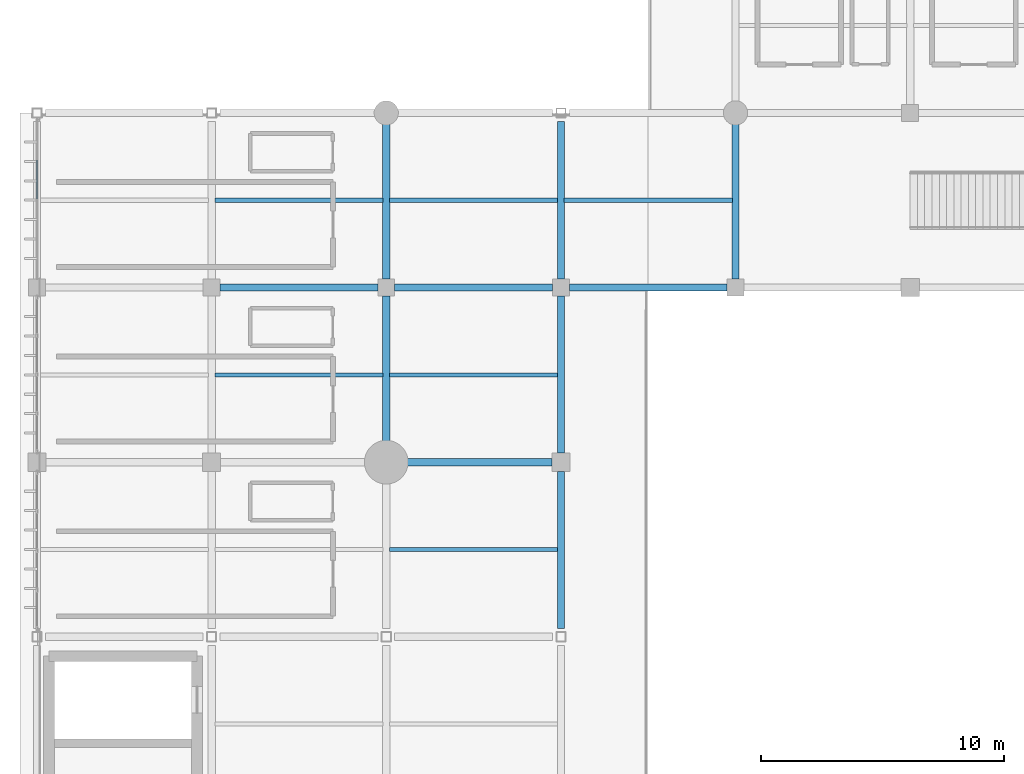
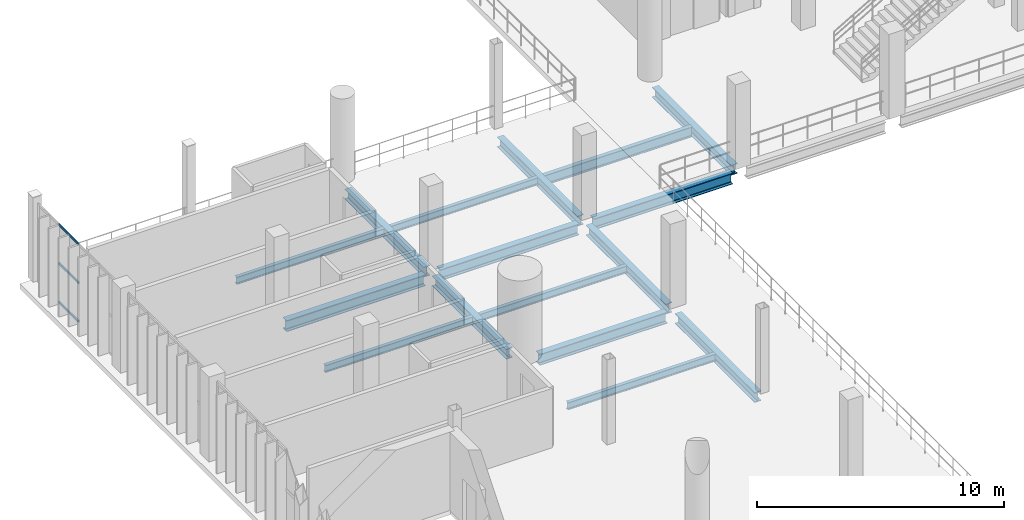
# One storey, part 58 of 130: 16 beams, 3 members, 1 element without a shape of its own.
"""IFC4 building model written with IfcOpenShell, lengths in metres."""

from ifc_helpers import new_model, si_unit, direction, frame, origin, origin_2d, place, context, subcontext, project, spatial, hollow_rectangle, i_section, extrude, material, material_profile, profile_set, type_object, element, aggregate, save


model = new_model("IFC4")

# Units and contexts
model_context = context("Model", 3, precision=1e-05, world=origin(), true_north=direction((0.0, 1.0)))
body_context = subcontext(model_context, "Body", "Model", "MODEL_VIEW")
ifc_project = project(units=[si_unit("LENGTHUNIT", "METRE"), si_unit("AREAUNIT", "SQUARE_METRE"), si_unit("VOLUMEUNIT", "CUBIC_METRE"), si_unit("PLANEANGLEUNIT", "RADIAN"), si_unit("MASSUNIT", "GRAM", prefix="KILO")], contexts=[model_context])

# Site, building, storey
site_placement = place(None, origin())
site = spatial("IfcSite", under=ifc_project, at=site_placement, CompositionType="ELEMENT")
building_placement = place(site_placement, origin())
building = spatial("IfcBuilding", under=site, at=building_placement, Name="Qandorah Velis Arena", CompositionType="ELEMENT")
storey_placement = place(building_placement, frame((0.0, 0.0, 9.60009765625)))
storey = spatial("IfcBuildingStorey", under=building, at=storey_placement, Name="L02", CompositionType="ELEMENT", Elevation=9.60009765625)

# Curtain wall, members
ifc_material_1 = material(Name="Solar-control low-E double glazing", Category="glass")
curtain_wall_type = type_object("IfcCurtainWallType", Name="ARC-CW-SYS20", PredefinedType="USERDEFINED", material=ifc_material_1)
curtain_wall_placement = place(storey_placement, origin())
curtain_wall = element("IfcCurtainWall", 1, at=curtain_wall_placement, inside=storey, type_object=curtain_wall_type, Name="Unitised curtain wall L02-020", ObjectType="UNITISED CURTAIN WALL", PredefinedType="USERDEFINED")
ifc_material_2 = material(Name="Champagne-bronze anodized aluminium 6063-T6", Category="aluminium")
ifc_material_profile_1 = material_profile(ifc_material_2, hollow_rectangle(XDim=0.054931640625, YDim=0.10009765625, WallThickness=0.0029296875, at=origin_2d()), Name="ALU TRANSOM 55x100")
ifc_profile_set_1 = profile_set([ifc_material_profile_1], Name="Champagne-bronze anodized aluminium 6063-T6")
member_type = type_object("IfcMemberType", Name="ARC-CWT-100", PredefinedType="USERDEFINED", material=ifc_profile_set_1)
member_1_placement = place(storey_placement, frame((0.0, 111.653076171875, 0.02734375), z_axis=(0.0, 1.0, 0.0), x_axis=(-1.0, 0.0, 0.0)))
member_1 = element("IfcMember", 2, at=member_1_placement, type_object=member_type, Name="CW20 transom 3.1", ObjectType="TRANSOM", PredefinedType="USERDEFINED", context=body_context, shape_type="SweptSolid", body=[
    extrude(hollow_rectangle(XDim=0.054931640625, YDim=0.10009765625, WallThickness=0.0029296875, at=origin_2d()), origin(), (0.0, 0.0, 1.0), 1.600341796875),
])
member_2_placement = place(storey_placement, frame((0.0, 111.653076171875, 1.93994140625), z_axis=(0.0, 1.0, 0.0), x_axis=(-1.0, 0.0, 0.0)))
member_2 = element("IfcMember", 3, at=member_2_placement, type_object=member_type, Name="CW20 transom 3.2", ObjectType="TRANSOM", PredefinedType="USERDEFINED", context=body_context, shape_type="SweptSolid", body=[
    extrude(hollow_rectangle(XDim=0.054931640625, YDim=0.10009765625, WallThickness=0.0029296875, at=origin_2d()), origin(), (0.0, 0.0, 1.0), 1.600341796875),
])
member_3_placement = place(storey_placement, frame((0.0, 111.653076171875, 3.852294921875), z_axis=(0.0, 1.0, 0.0), x_axis=(-1.0, 0.0, 0.0)))
member_3 = element("IfcMember", 4, at=member_3_placement, type_object=member_type, Name="CW20 transom 3.3", ObjectType="TRANSOM", PredefinedType="USERDEFINED", context=body_context, shape_type="SweptSolid", body=[
    extrude(hollow_rectangle(XDim=0.054931640625, YDim=0.10009765625, WallThickness=0.0029296875, at=origin_2d()), origin(), (0.0, 0.0, 1.0), 1.600341796875),
])
aggregate(curtain_wall, [member_1, member_2, member_3])

# Beams
ifc_material_3 = material(Name="Steel S355", Category="steel")
ifc_material_profile_2 = material_profile(ifc_material_3, i_section(OverallWidth=0.300048828125, OverallDepth=0.5, WebThickness=0.014404296875, FlangeThickness=0.028076171875, FilletRadius=0.027099609375, at=origin_2d()), Name="HEB 500")
ifc_profile_set_2 = profile_set([ifc_material_profile_2], Name="Steel S355")
beam_type_1 = type_object("IfcBeamType", Name="STR-BM-HEB500", PredefinedType="BEAM", material=ifc_profile_set_2)
beam_1_placement = place(storey_placement, frame((14.39990234375, 101.64990234375, -0.530029296875), z_axis=(0.0, 1.0, 0.0), x_axis=(-1.0, 0.0, 0.0)))
element("IfcBeam", 5, at=beam_1_placement, inside=storey, type_object=beam_type_1, Name="Primary floor girder L02 Y-224", PredefinedType="BEAM", context=body_context, shape_type="SweptSolid", body=[
    extrude(i_section(OverallWidth=0.300048828125, OverallDepth=0.5, WebThickness=0.014404296875, FlangeThickness=0.028076171875, FilletRadius=0.027099609375, at=origin_2d()), origin(), (0.0, 0.0, 1.0), 6.0),
])
beam_2_placement = place(storey_placement, frame((14.39990234375, 108.35009765625, -0.530029296875), z_axis=(0.0, 1.0, 0.0), x_axis=(-1.0, 0.0, 0.0)))
element("IfcBeam", 6, at=beam_2_placement, inside=storey, type_object=beam_type_1, Name="Primary floor girder L02 Y-225", PredefinedType="BEAM", context=body_context, shape_type="SweptSolid", body=[
    extrude(i_section(OverallWidth=0.300048828125, OverallDepth=0.5, WebThickness=0.014404296875, FlangeThickness=0.028076171875, FilletRadius=0.027099609375, at=origin_2d()), origin(), (0.0, 0.0, 1.0), 6.39990234375),
])
beam_3_placement = place(storey_placement, frame((21.60009765625, 93.949951171875, -0.530029296875), z_axis=(0.0, 1.0, 0.0), x_axis=(-1.0, 0.0, 0.0)))
element("IfcBeam", 7, at=beam_3_placement, inside=storey, type_object=beam_type_1, Name="Primary floor girder L02 Y-237", PredefinedType="BEAM", context=body_context, shape_type="SweptSolid", body=[
    extrude(i_section(OverallWidth=0.300048828125, OverallDepth=0.5, WebThickness=0.014404296875, FlangeThickness=0.028076171875, FilletRadius=0.027099609375, at=origin_2d()), origin(), (0.0, 0.0, 1.0), 6.47509765625),
])
beam_4_placement = place(storey_placement, frame((21.60009765625, 101.175048828125, -0.530029296875), z_axis=(0.0, 1.0, 0.0), x_axis=(-1.0, 0.0, 0.0)))
element("IfcBeam", 8, at=beam_4_placement, inside=storey, type_object=beam_type_1, Name="Primary floor girder L02 Y-238", PredefinedType="BEAM", context=body_context, shape_type="SweptSolid", body=[
    extrude(i_section(OverallWidth=0.300048828125, OverallDepth=0.5, WebThickness=0.014404296875, FlangeThickness=0.028076171875, FilletRadius=0.027099609375, at=origin_2d()), origin(), (0.0, 0.0, 1.0), 6.474853515625),
])
beam_5_placement = place(storey_placement, frame((21.60009765625, 108.35009765625, -0.530029296875), z_axis=(0.0, 1.0, 0.0), x_axis=(-1.0, 0.0, 0.0)))
element("IfcBeam", 9, at=beam_5_placement, inside=storey, type_object=beam_type_1, Name="Primary floor girder L02 Y-239", PredefinedType="BEAM", context=body_context, shape_type="SweptSolid", body=[
    extrude(i_section(OverallWidth=0.300048828125, OverallDepth=0.5, WebThickness=0.014404296875, FlangeThickness=0.028076171875, FilletRadius=0.027099609375, at=origin_2d()), origin(), (0.0, 0.0, 1.0), 6.5),
])
beam_6_placement = place(storey_placement, frame((28.800048828125, 108.35009765625, -0.530029296875), z_axis=(0.0, 1.0, 0.0), x_axis=(-1.0, 0.0, 0.0)))
element("IfcBeam", 10, at=beam_6_placement, inside=storey, type_object=beam_type_1, Name="Primary floor girder L02 Y-243", PredefinedType="BEAM", context=body_context, shape_type="SweptSolid", body=[
    extrude(i_section(OverallWidth=0.300048828125, OverallDepth=0.5, WebThickness=0.014404296875, FlangeThickness=0.028076171875, FilletRadius=0.027099609375, at=origin_2d()), origin(), (0.0, 0.0, 1.0), 6.39990234375),
])
ifc_material_profile_3 = material_profile(ifc_material_3, i_section(OverallWidth=0.300048828125, OverallDepth=0.550048828125, WebThickness=0.014892578125, FlangeThickness=0.029052734375, FilletRadius=0.027099609375, at=origin_2d()), Name="HEB 550")
ifc_profile_set_3 = profile_set([ifc_material_profile_3], Name="Steel S355")
beam_type_2 = type_object("IfcBeamType", Name="STR-BM-HEB550", PredefinedType="BEAM", material=ifc_profile_set_3)
beam_7_placement = place(storey_placement, frame((15.25, 100.800048828125, -0.55517578125), z_axis=(1.0, 0.0, 0.0), x_axis=(0.0, 1.0, 0.0)))
element("IfcBeam", 11, at=beam_7_placement, inside=storey, type_object=beam_type_2, Name="Primary floor girder L02 X-124", PredefinedType="BEAM", context=body_context, shape_type="SweptSolid", body=[
    extrude(i_section(OverallWidth=0.300048828125, OverallDepth=0.550048828125, WebThickness=0.014892578125, FlangeThickness=0.029052734375, FilletRadius=0.027099609375, at=origin_2d()), origin(), (0.0, 0.0, 1.0), 5.97509765625),
])
for number, where, z_axis, x_axis, name in (
    (12, (7.550048828125, 108.0, -0.55517578125), (1.0, 0.0, 0.0), (0.0, 1.0, 0.0), "Primary floor girder L02 X-128"),
    (13, (14.75, 108.0, -0.55517578125), (1.0, 0.0, 0.0), (0.0, 1.0, 0.0), "Primary floor girder L02 X-129"),
    (14, (21.949951171875, 108.0, -0.55517578125), (1.0, 0.0, 0.0), (0.0, 1.0, 0.0), "Primary floor girder L02 X-130"),
):
    element("IfcBeam", number, at=place(storey_placement, frame(where, z_axis=z_axis, x_axis=x_axis)), inside=storey, type_object=beam_type_2, Name=name, PredefinedType="BEAM", context=body_context, shape_type="SweptSolid", body=[
        extrude(i_section(OverallWidth=0.300048828125, OverallDepth=0.550048828125, WebThickness=0.014892578125, FlangeThickness=0.029052734375, FilletRadius=0.027099609375, at=origin_2d()), origin(), (0.0, 0.0, 1.0), 6.5),
    ])
ifc_material_profile_4 = material_profile(ifc_material_3, i_section(OverallWidth=0.169921875, OverallDepth=0.360107421875, WebThickness=0.008056640625, FlangeThickness=0.0126953125, FilletRadius=0.01806640625, at=origin_2d()), Name="IPE 360")
ifc_profile_set_4 = profile_set([ifc_material_profile_4], Name="Steel S355")
beam_type_3 = type_object("IfcBeamType", Name="STR-JST-IPE360", PredefinedType="JOIST", material=ifc_profile_set_4)
for number, where, z_axis, x_axis, name in (
    (15, (7.3349609375, 104.39990234375, -0.460205078125), (1.0, 0.0, 0.0), (0.0, 1.0, 0.0), "Secondary floor joist L02-023"),
    (16, (7.3349609375, 111.60009765625, -0.460205078125), (1.0, 0.0, 0.0), (0.0, 1.0, 0.0), "Secondary floor joist L02-024"),
):
    element("IfcBeam", number, at=place(storey_placement, frame(where, z_axis=z_axis, x_axis=x_axis)), inside=storey, type_object=beam_type_3, Name=name, PredefinedType="JOIST", context=body_context, shape_type="SweptSolid", body=[
        extrude(i_section(OverallWidth=0.169921875, OverallDepth=0.360107421875, WebThickness=0.008056640625, FlangeThickness=0.0126953125, FilletRadius=0.01806640625, at=origin_2d()), origin(), (0.0, 0.0, 1.0), 6.929931640625),
    ])
for number, where, z_axis, x_axis, name in (
    (17, (14.534912109375, 97.199951171875, -0.460205078125), (1.0, 0.0, 0.0), (0.0, 1.0, 0.0), "Secondary floor joist L02-034"),
    (18, (14.534912109375, 104.39990234375, -0.460205078125), (1.0, 0.0, 0.0), (0.0, 1.0, 0.0), "Secondary floor joist L02-035"),
    (19, (14.534912109375, 111.60009765625, -0.460205078125), (1.0, 0.0, 0.0), (0.0, 1.0, 0.0), "Secondary floor joist L02-036"),
):
    element("IfcBeam", number, at=place(storey_placement, frame(where, z_axis=z_axis, x_axis=x_axis)), inside=storey, type_object=beam_type_3, Name=name, PredefinedType="JOIST", context=body_context, shape_type="SweptSolid", body=[
        extrude(i_section(OverallWidth=0.169921875, OverallDepth=0.360107421875, WebThickness=0.008056640625, FlangeThickness=0.0126953125, FilletRadius=0.01806640625, at=origin_2d()), origin(), (0.0, 0.0, 1.0), 6.93017578125),
    ])
ifc_material_profile_5 = material_profile(ifc_material_3, i_section(OverallWidth=0.199951171875, OverallDepth=0.5, WebThickness=0.01025390625, FlangeThickness=0.01611328125, FilletRadius=0.02099609375, at=origin_2d()), Name="IPE 500")
ifc_profile_set_5 = profile_set([ifc_material_profile_5], Name="Steel S355")
beam_type_4 = type_object("IfcBeamType", Name="STR-JST-IPE500", PredefinedType="JOIST", material=ifc_profile_set_5)
beam_8_placement = place(storey_placement, frame((21.735107421875, 111.60009765625, -0.530029296875), z_axis=(1.0, 0.0, 0.0), x_axis=(0.0, 1.0, 0.0)))
element("IfcBeam", 20, at=beam_8_placement, inside=storey, type_object=beam_type_4, Name="Secondary floor joist L02-038", PredefinedType="JOIST", context=body_context, shape_type="SweptSolid", body=[
    extrude(i_section(OverallWidth=0.199951171875, OverallDepth=0.5, WebThickness=0.01025390625, FlangeThickness=0.01611328125, FilletRadius=0.02099609375, at=origin_2d()), origin(), (0.0, 0.0, 1.0), 6.929931640625),
])

save(model, "model.ifc")
